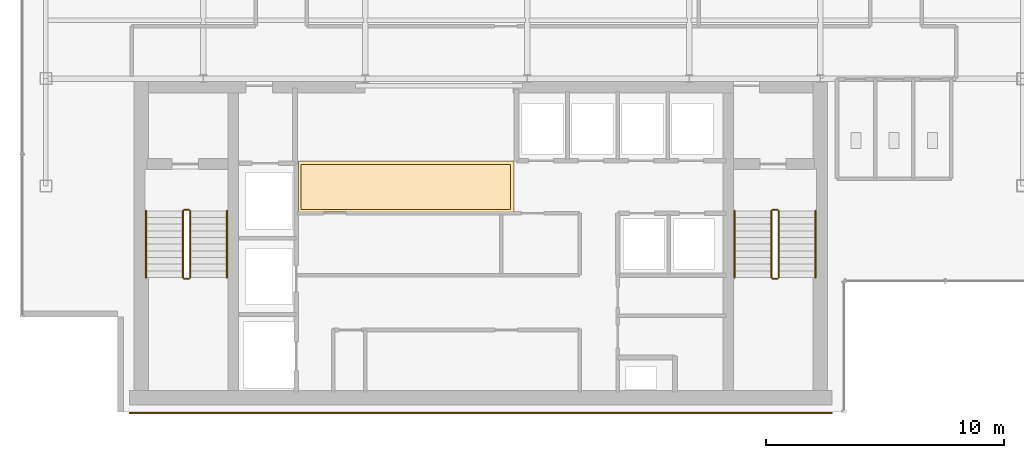
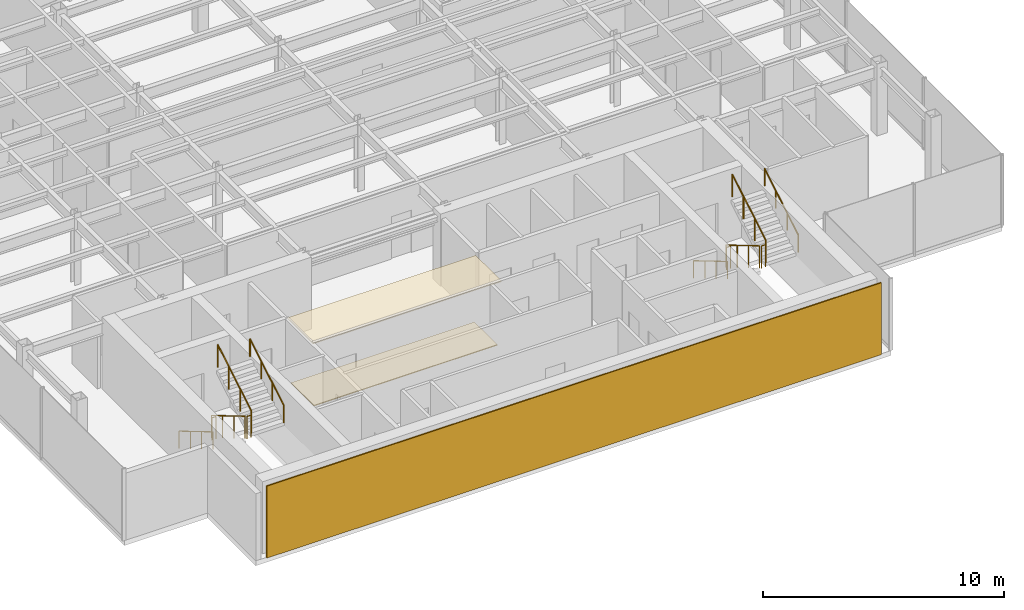
# One storey, part 20 of 22: 12 railings, 3 coverings.
"""IFC4 building model written with IfcOpenShell, lengths in metres."""

from ifc_helpers import new_model, si_unit, derived_unit, direction, frame, origin, origin_2d, place, context, subcontext, project, spatial, polyline, rectangle, circle, outline, extrude, source, transform, mapped, material, layer, layer_set, type_object, element, save


model = new_model("IFC4")

# Units and contexts
model_context = context("Model", 3, precision=1e-05, world=origin(), true_north=direction((0.0, 1.0)))
body_context = subcontext(model_context, "Body", "Model", "MODEL_VIEW")
ifc_project = project(units=[si_unit("LENGTHUNIT", "METRE"), si_unit("AREAUNIT", "SQUARE_METRE"), si_unit("VOLUMEUNIT", "CUBIC_METRE"), si_unit("PLANEANGLEUNIT", "RADIAN"), si_unit("MASSUNIT", "GRAM", prefix="KILO"), derived_unit("THERMALTRANSMITTANCEUNIT", [(si_unit("POWERUNIT", "WATT"), 1), (si_unit("LENGTHUNIT", "METRE"), -2), (si_unit("THERMODYNAMICTEMPERATUREUNIT", "KELVIN"), -1)])], contexts=[model_context])

# Site, building, storey
site_placement = place(None, origin())
site = spatial("IfcSite", under=ifc_project, at=site_placement, CompositionType="ELEMENT")
building_placement = place(site_placement, origin())
building = spatial("IfcBuilding", under=site, at=building_placement, Name="Skarnbrae Concourse Arena and Tower", CompositionType="ELEMENT")
storey_placement = place(building_placement, frame((0.0, 0.0, 244.199951171875)))
storey = spatial("IfcBuildingStorey", under=building, at=storey_placement, Name="L63", CompositionType="ELEMENT", Elevation=244.199951171875)

# Coverings
ifc_material_1 = material(Name="Mineral fibre acoustic ceiling tile", Category="other")
ifc_layer_1 = layer(ifc_material_1, 0.0400390625)
ifc_layer_set_1 = layer_set([ifc_layer_1], Name="Mineral fibre acoustic ceiling tile")
covering_type_1 = type_object("IfcCoveringType", Name="COV-CEIL-ACOUSTIC", PredefinedType="CEILING", material=ifc_layer_set_1)
covering_1_placement = place(storey_placement, frame((0.0, 0.0, 3.239990234375)))
element("IfcCovering", 1, at=covering_1_placement, inside=storey, type_object=covering_type_1, Name="L63 Lift lobby acoustic ceiling", PredefinedType="CEILING", context=body_context, shape_type="SweptSolid", body=[
    extrude(outline(polyline([(11.60009765625, 8.39990234375), (20.64990234375, 8.39990234375), (20.64990234375, 10.550048828125), (11.60009765625, 10.550048828125), (11.60009765625, 8.39990234375)])), origin(), (0.0, 0.0, 1.0), 0.0400390625),
])
ifc_material_2 = material(Name="Polished granite terrazzo flooring", Category="masonry")
ifc_layer_2 = layer(ifc_material_2, 0.0400390625)
ifc_layer_set_2 = layer_set([ifc_layer_2], Name="Polished granite terrazzo flooring")
covering_type_2 = type_object("IfcCoveringType", Name="COV-FLOOR-TERRAZZO", PredefinedType="FLOORING", material=ifc_layer_set_2)
covering_2_placement = place(storey_placement, origin())
element("IfcCovering", 2, at=covering_2_placement, inside=storey, type_object=covering_type_2, Name="L63 Lift lobby terrazzo flooring", PredefinedType="FLOORING", context=body_context, shape_type="SweptSolid", body=[
    extrude(outline(polyline([(11.699951171875, 8.5), (20.5, 8.5), (20.5, 10.39990234375), (11.699951171875, 10.39990234375), (11.699951171875, 8.5)])), origin(), (0.0, 0.0, 1.0), 0.0400390625),
])

# Railings
ifc_material_3 = material(Name="Steel CSA G40.21 350W", Category="steel")
railing_type_1 = type_object("IfcRailingType", Name="RAIL-HANDRAIL-900", PredefinedType="HANDRAIL", material=ifc_material_3)
railing_1_placement = place(storey_placement, frame((5.199951171875, 8.449951171875, 0.166015625)))
element("IfcRailing", 3, at=railing_1_placement, inside=storey, type_object=railing_type_1, Name="L63 ST-1 stair handrail 1", PredefinedType="HANDRAIL", context=body_context, shape_type="SweptSolid", body=[
    extrude(circle(Radius=0.02392578125, at=origin_2d()), frame((0.0, 0.0, 0.8759765625), z_axis=(0.0, -0.860339051648, 0.50972219513), x_axis=(1.0, 0.0, 0.0)), (0.0, 0.0, 1.0), 3.254638671875),
    extrude(circle(Radius=0.02099609375, at=origin_2d()), origin(), (0.0, 0.0, 1.0), 0.851806640625),
    extrude(circle(Radius=0.02099609375, at=origin_2d()), frame((0.0, -0.933349609375, 0.552978515625)), (0.0, 0.0, 1.0), 0.851806640625),
    extrude(circle(Radius=0.02099609375, at=origin_2d()), frame((0.0, -1.86669921875, 1.10595703125)), (0.0, 0.0, 1.0), 0.851806640625),
    extrude(circle(Radius=0.02099609375, at=origin_2d()), frame((0.0, -2.800048828125, 1.658935546875)), (0.0, 0.0, 1.0), 0.851806640625),
])
railing_2_placement = place(storey_placement, frame((8.60009765625, 5.64990234375, 1.990966796875)))
element("IfcRailing", 4, at=railing_2_placement, inside=storey, type_object=railing_type_1, Name="L63 ST-1 stair handrail 2", PredefinedType="HANDRAIL", context=body_context, shape_type="SweptSolid", body=[
    extrude(circle(Radius=0.02392578125, at=origin_2d()), frame((0.0, 0.0, 0.8759765625), z_axis=(0.0, 0.860306154799, 0.50977771628), x_axis=(-1.0, 0.0, 0.0)), (0.0, 0.0, 1.0), 3.254638671875),
    extrude(circle(Radius=0.02099609375, at=origin_2d()), origin(), (0.0, 0.0, 1.0), 0.851806640625),
    extrude(circle(Radius=0.02099609375, at=origin_2d()), frame((0.0, 0.933349609375, 0.552978515625)), (0.0, 0.0, 1.0), 0.851806640625),
    extrude(circle(Radius=0.02099609375, at=origin_2d()), frame((0.0, 1.86669921875, 1.106201171875)), (0.0, 0.0, 1.0), 0.851806640625),
    extrude(circle(Radius=0.02099609375, at=origin_2d()), frame((0.0, 2.800048828125, 1.6591796875)), (0.0, 0.0, 1.0), 0.851806640625),
])
railing_3_placement = place(storey_placement, frame((29.89990234375, 8.449951171875, 0.166015625)))
element("IfcRailing", 5, at=railing_3_placement, inside=storey, type_object=railing_type_1, Name="L63 ST-2 stair handrail 1", PredefinedType="HANDRAIL", context=body_context, shape_type="SweptSolid", body=[
    extrude(circle(Radius=0.02392578125, at=origin_2d()), frame((0.0, 0.0, 0.8759765625), z_axis=(0.0, -0.860339051648, 0.50972219513), x_axis=(1.0, 0.0, 0.0)), (0.0, 0.0, 1.0), 3.254638671875),
    extrude(circle(Radius=0.02099609375, at=origin_2d()), origin(), (0.0, 0.0, 1.0), 0.851806640625),
    extrude(circle(Radius=0.02099609375, at=origin_2d()), frame((0.0, -0.933349609375, 0.552978515625)), (0.0, 0.0, 1.0), 0.851806640625),
    extrude(circle(Radius=0.02099609375, at=origin_2d()), frame((0.0, -1.86669921875, 1.10595703125)), (0.0, 0.0, 1.0), 0.851806640625),
    extrude(circle(Radius=0.02099609375, at=origin_2d()), frame((0.0, -2.800048828125, 1.658935546875)), (0.0, 0.0, 1.0), 0.851806640625),
])
railing_4_placement = place(storey_placement, frame((33.300048828125, 5.64990234375, 1.990966796875)))
element("IfcRailing", 6, at=railing_4_placement, inside=storey, type_object=railing_type_1, Name="L63 ST-2 stair handrail 2", PredefinedType="HANDRAIL", context=body_context, shape_type="SweptSolid", body=[
    extrude(circle(Radius=0.02392578125, at=origin_2d()), frame((0.0, 0.0, 0.8759765625), z_axis=(0.0, 0.860306154799, 0.50977771628), x_axis=(-1.0, 0.0, 0.0)), (0.0, 0.0, 1.0), 3.254638671875),
    extrude(circle(Radius=0.02099609375, at=origin_2d()), origin(), (0.0, 0.0, 1.0), 0.851806640625),
    extrude(circle(Radius=0.02099609375, at=origin_2d()), frame((0.0, 0.933349609375, 0.552978515625)), (0.0, 0.0, 1.0), 0.851806640625),
    extrude(circle(Radius=0.02099609375, at=origin_2d()), frame((0.0, 1.86669921875, 1.106201171875)), (0.0, 0.0, 1.0), 0.851806640625),
    extrude(circle(Radius=0.02099609375, at=origin_2d()), frame((0.0, 2.800048828125, 1.6591796875)), (0.0, 0.0, 1.0), 0.851806640625),
])
railing_type_2 = type_object("IfcRailingType", Name="RAIL-STAIR-GUARD-1150", PredefinedType="GUARDRAIL", material=ifc_material_3)
railing_5_placement = place(storey_placement, frame((6.75, 8.449951171875, 0.166015625)))
element("IfcRailing", 7, at=railing_5_placement, inside=storey, type_object=railing_type_2, Name="L63 ST-1 stair guard 1", PredefinedType="GUARDRAIL", context=body_context, shape_type="SweptSolid", body=[
    extrude(circle(Radius=0.02392578125, at=origin_2d()), frame((0.0, 0.0, 1.1259765625), z_axis=(0.0, -0.860339051648, 0.50972219513), x_axis=(1.0, 0.0, 0.0)), (0.0, 0.0, 1.0), 3.254638671875),
    extrude(circle(Radius=0.02099609375, at=origin_2d()), origin(), (0.0, 0.0, 1.0), 1.101806640625),
    extrude(circle(Radius=0.02099609375, at=origin_2d()), frame((0.0, -0.933349609375, 0.552978515625)), (0.0, 0.0, 1.0), 1.101806640625),
    extrude(circle(Radius=0.02099609375, at=origin_2d()), frame((0.0, -1.86669921875, 1.10595703125)), (0.0, 0.0, 1.0), 1.101806640625),
    extrude(circle(Radius=0.02099609375, at=origin_2d()), frame((0.0, -2.800048828125, 1.658935546875)), (0.0, 0.0, 1.0), 1.101806640625),
])
railing_6_placement = place(storey_placement, frame((6.800048828125, 5.60009765625, 1.824951171875)))
element("IfcRailing", 8, at=railing_6_placement, inside=storey, type_object=railing_type_2, Name="L63 ST-1 stair guard 2", PredefinedType="GUARDRAIL", context=body_context, shape_type="SweptSolid", body=[
    extrude(circle(Radius=0.02392578125, at=origin_2d()), frame((0.0, 0.0, 1.1259765625), z_axis=(1.0, 0.0, 0.0), x_axis=(0.0, 1.0, 0.0)), (0.0, 0.0, 1.0), 0.199951171875),
    extrude(circle(Radius=0.02099609375, at=origin_2d()), origin(), (0.0, 0.0, 1.0), 1.101806640625),
    extrude(circle(Radius=0.02099609375, at=origin_2d()), frame((0.199951171875, 0.0, 0.0)), (0.0, 0.0, 1.0), 1.101806640625),
])
railing_7_placement = place(storey_placement, frame((7.050048828125, 5.64990234375, 1.990966796875)))
element("IfcRailing", 9, at=railing_7_placement, inside=storey, type_object=railing_type_2, Name="L63 ST-1 stair guard 3", PredefinedType="GUARDRAIL", context=body_context, shape_type="SweptSolid", body=[
    extrude(circle(Radius=0.02392578125, at=origin_2d()), frame((0.0, 0.0, 1.1259765625), z_axis=(0.0, 0.860306154799, 0.50977771628), x_axis=(-1.0, 0.0, 0.0)), (0.0, 0.0, 1.0), 3.254638671875),
    extrude(circle(Radius=0.02099609375, at=origin_2d()), origin(), (0.0, 0.0, 1.0), 1.101806640625),
    extrude(circle(Radius=0.02099609375, at=origin_2d()), frame((0.0, 0.933349609375, 0.552978515625)), (0.0, 0.0, 1.0), 1.101806640625),
    extrude(circle(Radius=0.02099609375, at=origin_2d()), frame((0.0, 1.86669921875, 1.106201171875)), (0.0, 0.0, 1.0), 1.101806640625),
    extrude(circle(Radius=0.02099609375, at=origin_2d()), frame((0.0, 2.800048828125, 1.6591796875)), (0.0, 0.0, 1.0), 1.101806640625),
])
railing_8_placement = place(storey_placement, frame((6.800048828125, 8.5, 0.0)))
element("IfcRailing", 10, at=railing_8_placement, inside=storey, type_object=railing_type_2, Name="L63 ST-1 stair guard 4", PredefinedType="GUARDRAIL", context=body_context, shape_type="SweptSolid", body=[
    extrude(circle(Radius=0.02392578125, at=origin_2d()), frame((0.0, 0.0, 1.1259765625), z_axis=(1.0, 0.0, 0.0), x_axis=(0.0, 1.0, 0.0)), (0.0, 0.0, 1.0), 0.199951171875),
    extrude(circle(Radius=0.02099609375, at=origin_2d()), origin(), (0.0, 0.0, 1.0), 1.101806640625),
    extrude(circle(Radius=0.02099609375, at=origin_2d()), frame((0.199951171875, 0.0, 0.0)), (0.0, 0.0, 1.0), 1.101806640625),
])
railing_9_placement = place(storey_placement, frame((31.449951171875, 8.449951171875, 0.166015625)))
element("IfcRailing", 11, at=railing_9_placement, inside=storey, type_object=railing_type_2, Name="L63 ST-2 stair guard 1", PredefinedType="GUARDRAIL", context=body_context, shape_type="SweptSolid", body=[
    extrude(circle(Radius=0.02392578125, at=origin_2d()), frame((0.0, 0.0, 1.1259765625), z_axis=(0.0, -0.860339051648, 0.50972219513), x_axis=(1.0, 0.0, 0.0)), (0.0, 0.0, 1.0), 3.254638671875),
    extrude(circle(Radius=0.02099609375, at=origin_2d()), origin(), (0.0, 0.0, 1.0), 1.101806640625),
    extrude(circle(Radius=0.02099609375, at=origin_2d()), frame((0.0, -0.933349609375, 0.552978515625)), (0.0, 0.0, 1.0), 1.101806640625),
    extrude(circle(Radius=0.02099609375, at=origin_2d()), frame((0.0, -1.86669921875, 1.10595703125)), (0.0, 0.0, 1.0), 1.101806640625),
    extrude(circle(Radius=0.02099609375, at=origin_2d()), frame((0.0, -2.800048828125, 1.658935546875)), (0.0, 0.0, 1.0), 1.101806640625),
])
railing_10_placement = place(storey_placement, frame((31.5, 5.60009765625, 1.824951171875)))
element("IfcRailing", 12, at=railing_10_placement, inside=storey, type_object=railing_type_2, Name="L63 ST-2 stair guard 2", PredefinedType="GUARDRAIL", context=body_context, shape_type="SweptSolid", body=[
    extrude(circle(Radius=0.02392578125, at=origin_2d()), frame((0.0, 0.0, 1.1259765625), z_axis=(1.0, 0.0, 0.0), x_axis=(0.0, 1.0, 0.0)), (0.0, 0.0, 1.0), 0.199951171875),
    extrude(circle(Radius=0.02099609375, at=origin_2d()), origin(), (0.0, 0.0, 1.0), 1.101806640625),
    extrude(circle(Radius=0.02099609375, at=origin_2d()), frame((0.199951171875, 0.0, 0.0)), (0.0, 0.0, 1.0), 1.101806640625),
])
railing_11_placement = place(storey_placement, frame((31.75, 5.64990234375, 1.990966796875)))
element("IfcRailing", 13, at=railing_11_placement, inside=storey, type_object=railing_type_2, Name="L63 ST-2 stair guard 3", PredefinedType="GUARDRAIL", context=body_context, shape_type="SweptSolid", body=[
    extrude(circle(Radius=0.02392578125, at=origin_2d()), frame((0.0, 0.0, 1.1259765625), z_axis=(0.0, 0.860306154799, 0.50977771628), x_axis=(-1.0, 0.0, 0.0)), (0.0, 0.0, 1.0), 3.254638671875),
    extrude(circle(Radius=0.02099609375, at=origin_2d()), origin(), (0.0, 0.0, 1.0), 1.101806640625),
    extrude(circle(Radius=0.02099609375, at=origin_2d()), frame((0.0, 0.933349609375, 0.552978515625)), (0.0, 0.0, 1.0), 1.101806640625),
    extrude(circle(Radius=0.02099609375, at=origin_2d()), frame((0.0, 1.86669921875, 1.106201171875)), (0.0, 0.0, 1.0), 1.101806640625),
    extrude(circle(Radius=0.02099609375, at=origin_2d()), frame((0.0, 2.800048828125, 1.6591796875)), (0.0, 0.0, 1.0), 1.101806640625),
])
railing_12_placement = place(storey_placement, frame((31.5, 8.5, 0.0)))
element("IfcRailing", 14, at=railing_12_placement, inside=storey, type_object=railing_type_2, Name="L63 ST-2 stair guard 4", PredefinedType="GUARDRAIL", context=body_context, shape_type="SweptSolid", body=[
    extrude(circle(Radius=0.02392578125, at=origin_2d()), frame((0.0, 0.0, 1.1259765625), z_axis=(1.0, 0.0, 0.0), x_axis=(0.0, 1.0, 0.0)), (0.0, 0.0, 1.0), 0.199951171875),
    extrude(circle(Radius=0.02099609375, at=origin_2d()), origin(), (0.0, 0.0, 1.0), 1.101806640625),
    extrude(circle(Radius=0.02099609375, at=origin_2d()), frame((0.199951171875, 0.0, 0.0)), (0.0, 0.0, 1.0), 1.101806640625),
])

# Covering
ifc_material_4 = material(Name="Bronze anodised aluminium 6063-T6", Category="aluminium")
ifc_layer_3 = layer(ifc_material_4, 0.06005859375)
ifc_layer_set_3 = layer_set([ifc_layer_3], Name="Bronze anodised aluminium 6063-T6")
covering_type_3 = type_object("IfcCoveringType", Name="COV-CLAD-BRONZE-60", PredefinedType="CLADDING", material=ifc_layer_set_3)
shared_shape = source(origin(), body_context, "Body", "SweptSolid", [
    extrude(rectangle(XDim=29.5, YDim=0.06005859375, at=origin_2d()), origin(), (0.0, 0.0, 1.0), 3.64990234375),
])
covering_3_placement = place(storey_placement, frame((19.25, -0.030029296875, 0.0), z_axis=(0.0, 0.0, 1.0), x_axis=(1.0, 0.0, 0.0)))
element("IfcCovering", 15, at=covering_3_placement, inside=storey, type_object=covering_type_3, Name="L63 Rear-core plumb spine bronze rainscreen panel", PredefinedType="CLADDING", context=body_context, shape_type="MappedRepresentation", body=[
    mapped(shared_shape, transform((0.0, 0.0, 0.0))),
])

save(model, "model.ifc")
